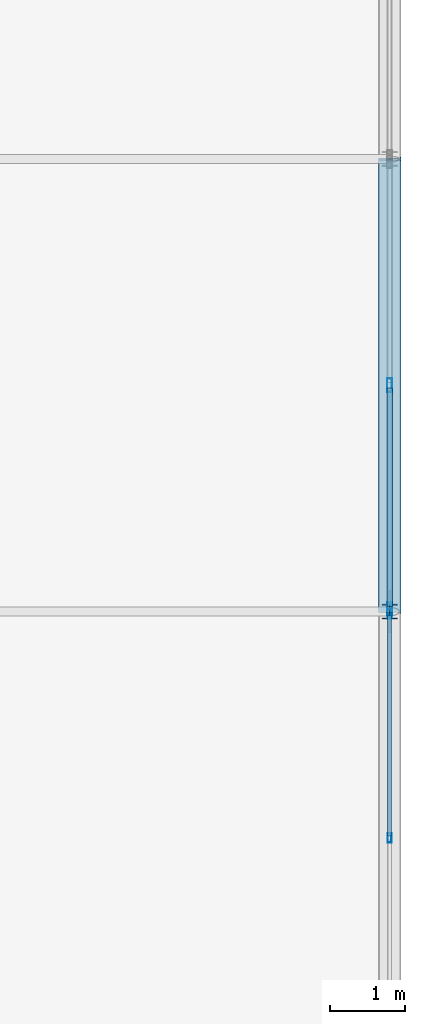
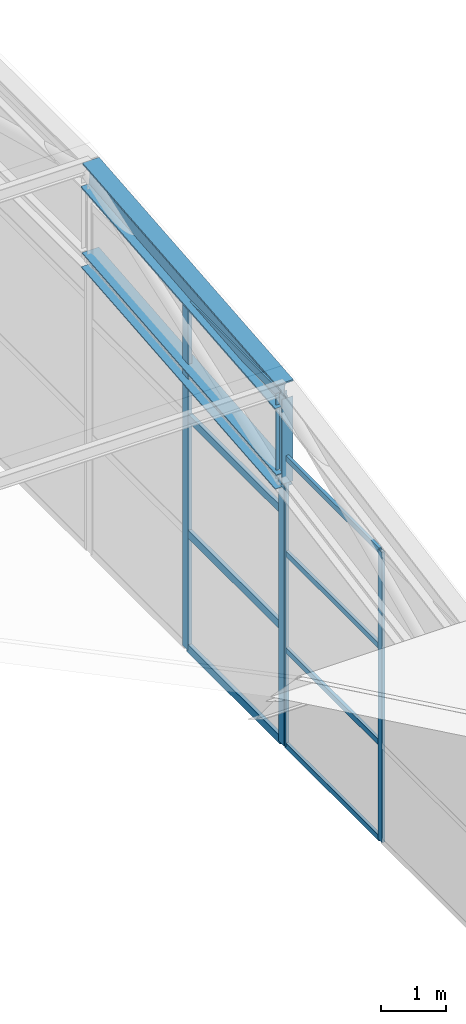
# One storey, part 110 of 204: 15 members, 2 elements without a shape of their own.
"""IFC4 building model written with IfcOpenShell, lengths in metres."""

from ifc_helpers import new_model, si_unit, direction, frame, origin, origin_2d, place, context, subcontext, project, spatial, hollow_rectangle, i_section, extrude, material, layer, layer_set, material_profile, profile_set, type_object, element, aggregate, save


model = new_model("IFC4")

# Units and contexts
model_context = context("Model", 3, precision=1e-05, world=origin(), true_north=direction((0.0, 1.0)))
body_context = subcontext(model_context, "Body", "Model", "MODEL_VIEW")
ifc_project = project(units=[si_unit("LENGTHUNIT", "METRE"), si_unit("AREAUNIT", "SQUARE_METRE"), si_unit("VOLUMEUNIT", "CUBIC_METRE"), si_unit("PLANEANGLEUNIT", "RADIAN"), si_unit("MASSUNIT", "GRAM", prefix="KILO")], contexts=[model_context])

# Site, building, storey
site_placement = place(None, origin())
site = spatial("IfcSite", under=ifc_project, at=site_placement, CompositionType="ELEMENT")
building_placement = place(site_placement, origin())
building = spatial("IfcBuilding", under=site, at=building_placement, Name="Zilviju Railside Exhibition Hall", CompositionType="ELEMENT")
storey_placement = place(building_placement, frame((0.0, 0.0, 21.0)))
storey = spatial("IfcBuildingStorey", under=building, at=storey_placement, Name="RF", CompositionType="ELEMENT", Elevation=21.0)

# Curtain wall, members
ifc_material_1 = material(Name="Thermally broken aluminium-steel triple-glazed curtain wall", Category="steel")
ifc_layer_1 = layer(ifc_material_1, 0.179931640625)
ifc_layer_set_1 = layer_set([ifc_layer_1], Name="Thermally broken aluminium-steel triple-glazed curtain wall")
curtain_wall_type_1 = type_object("IfcCurtainWallType", Name="CW-BAY-20", PredefinedType="USERDEFINED", material=ifc_layer_set_1)
curtain_wall_1_placement = place(storey_placement, origin())
curtain_wall_1 = element("IfcCurtainWall", 1, at=curtain_wall_1_placement, inside=storey, type_object=curtain_wall_type_1, Name="South Hall Arch Tympanum Glazing East P3", ObjectType="GLAZED CURTAIN WALL", PredefinedType="USERDEFINED")
ifc_material_2 = material(Name="Thermally broken anodized aluminium mullion", Category="aluminium")
ifc_material_profile_1 = material_profile(ifc_material_2, hollow_rectangle(XDim=0.054931640625, YDim=0.1298828125, WallThickness=0.0048828125, at=origin_2d()), Name="MULLION 130x55x5")
ifc_profile_set_1 = profile_set([ifc_material_profile_1], Name="Thermally broken anodized aluminium mullion")
member_type_1 = type_object("IfcMemberType", Name="CWM-55x130", PredefinedType="MULLION", material=ifc_profile_set_1)
member_1_placement = place(storey_placement, frame((216.0, 17.972412109375, -7.800048828125), z_axis=(0.0, 0.0, 1.0), x_axis=(1.0, 0.0, 0.0)))
member_1 = element("IfcMember", 2, at=member_1_placement, type_object=member_type_1, Name="CW-20 mullion 1", PredefinedType="MULLION", context=body_context, shape_type="SweptSolid", body=[
    extrude(hollow_rectangle(XDim=0.054931640625, YDim=0.1298828125, WallThickness=0.0048828125, at=origin_2d()), origin(), (0.0, 0.0, 1.0), 5.47216796875),
])
member_2_placement = place(storey_placement, frame((216.0, 15.0, -7.800048828125), z_axis=(0.0, 0.0, 1.0), x_axis=(1.0, 0.0, 0.0)))
member_2 = element("IfcMember", 3, at=member_2_placement, type_object=member_type_1, Name="CW-20 mullion 2", PredefinedType="MULLION", context=body_context, shape_type="SweptSolid", body=[
    extrude(hollow_rectangle(XDim=0.054931640625, YDim=0.1298828125, WallThickness=0.0048828125, at=origin_2d()), origin(), (0.0, 0.0, 1.0), 5.47216796875),
])

ifc_layer_2 = layer(ifc_material_1, 0.179931640625)
ifc_layer_set_2 = layer_set([ifc_layer_2], Name="Thermally broken aluminium-steel triple-glazed curtain wall")
curtain_wall_type_2 = type_object("IfcCurtainWallType", Name="CW-BAY-01", PredefinedType="USERDEFINED", material=ifc_layer_set_2)
curtain_wall_2_placement = place(storey_placement, origin())
curtain_wall_2 = element("IfcCurtainWall", 4, at=curtain_wall_2_placement, inside=storey, type_object=curtain_wall_type_2, Name="South Hall Arch Tympanum Glazing East P4", ObjectType="GLAZED CURTAIN WALL", PredefinedType="USERDEFINED")
ifc_material_profile_2 = material_profile(ifc_material_2, hollow_rectangle(XDim=0.070068359375, YDim=0.179931640625, WallThickness=0.0048828125, at=origin_2d()), Name="MULLION 180x70x5")
ifc_profile_set_2 = profile_set([ifc_material_profile_2], Name="Thermally broken anodized aluminium mullion")
member_type_2 = type_object("IfcMemberType", Name="CWM-70x180", PredefinedType="MULLION", material=ifc_profile_set_2)
member_3_placement = place(storey_placement, frame((216.0, 21.0, -7.800048828125), z_axis=(0.0, 0.0, 1.0), x_axis=(1.0, 0.0, 0.0)))
member_3 = element("IfcMember", 5, at=member_3_placement, type_object=member_type_2, Name="CW-01 mullion 2", PredefinedType="MULLION", context=body_context, shape_type="SweptSolid", body=[
    extrude(hollow_rectangle(XDim=0.070068359375, YDim=0.179931640625, WallThickness=0.0048828125, at=origin_2d()), origin(), (0.0, 0.0, 1.0), 6.578125),
])
member_4_placement = place(storey_placement, frame((216.0, 18.034912109375, -7.800048828125), z_axis=(0.0, 0.0, 1.0), x_axis=(1.0, 0.0, 0.0)))
member_4 = element("IfcMember", 6, at=member_4_placement, type_object=member_type_2, Name="CW-01 mullion 3", PredefinedType="MULLION", context=body_context, shape_type="SweptSolid", body=[
    extrude(hollow_rectangle(XDim=0.070068359375, YDim=0.179931640625, WallThickness=0.0048828125, at=origin_2d()), origin(), (0.0, 0.0, 1.0), 6.578125),
])

# Member
ifc_material_3 = material(Name="Thermally broken anodized aluminium transom", Category="aluminium")
ifc_material_profile_3 = material_profile(ifc_material_3, hollow_rectangle(XDim=0.054931640625, YDim=0.10498046875, WallThickness=0.0048828125, at=origin_2d()), Name="TRANSOM 105x55x5")
ifc_profile_set_3 = profile_set([ifc_material_profile_3], Name="Thermally broken anodized aluminium transom")
member_type_3 = type_object("IfcMemberType", Name="CWT-55x105", PredefinedType="USERDEFINED", material=ifc_profile_set_3)
member_5_placement = place(storey_placement, frame((216.0, 17.945068359375, -7.7724609375), z_axis=(0.0, -1.0, 0.0), x_axis=(1.0, 0.0, 0.0)))
member_5 = element("IfcMember", 7, at=member_5_placement, type_object=member_type_3, Name="CW-20 transom 1.1", ObjectType="TRANSOM", PredefinedType="USERDEFINED", context=body_context, shape_type="SweptSolid", body=[
    extrude(hollow_rectangle(XDim=0.054931640625, YDim=0.10498046875, WallThickness=0.0048828125, at=origin_2d()), origin(), (0.0, 0.0, 1.0), 2.91748046875),
])

member_6_placement = place(storey_placement, frame((216.0, 17.945068359375, -5.97607421875), z_axis=(0.0, -1.0, 0.0), x_axis=(1.0, 0.0, 0.0)))
member_6 = element("IfcMember", 8, at=member_6_placement, type_object=member_type_3, Name="CW-20 transom 1.2", ObjectType="TRANSOM", PredefinedType="USERDEFINED", context=body_context, shape_type="SweptSolid", body=[
    extrude(hollow_rectangle(XDim=0.054931640625, YDim=0.10498046875, WallThickness=0.0048828125, at=origin_2d()), origin(), (0.0, 0.0, 1.0), 2.91748046875),
])

member_7_placement = place(storey_placement, frame((216.0, 17.945068359375, -4.152099609375), z_axis=(0.0, -1.0, 0.0), x_axis=(1.0, 0.0, 0.0)))
member_7 = element("IfcMember", 9, at=member_7_placement, type_object=member_type_3, Name="CW-20 transom 1.3", ObjectType="TRANSOM", PredefinedType="USERDEFINED", context=body_context, shape_type="SweptSolid", body=[
    extrude(hollow_rectangle(XDim=0.054931640625, YDim=0.10498046875, WallThickness=0.0048828125, at=origin_2d()), origin(), (0.0, 0.0, 1.0), 2.91748046875),
])

member_8_placement = place(storey_placement, frame((216.0, 17.945068359375, -2.35546875), z_axis=(0.0, -1.0, 0.0), x_axis=(1.0, 0.0, 0.0)))
member_8 = element("IfcMember", 10, at=member_8_placement, type_object=member_type_3, Name="CW-20 transom 1.4", ObjectType="TRANSOM", PredefinedType="USERDEFINED", context=body_context, shape_type="SweptSolid", body=[
    extrude(hollow_rectangle(XDim=0.054931640625, YDim=0.10498046875, WallThickness=0.0048828125, at=origin_2d()), origin(), (0.0, 0.0, 1.0), 2.91748046875),
])

aggregate(curtain_wall_1, [member_1, member_2, member_5, member_6, member_7, member_8])

ifc_material_profile_4 = material_profile(ifc_material_3, hollow_rectangle(XDim=0.070068359375, YDim=0.14990234375, WallThickness=0.0048828125, at=origin_2d()), Name="TRANSOM 150x70x5")
ifc_profile_set_4 = profile_set([ifc_material_profile_4], Name="Thermally broken anodized aluminium transom")
member_type_4 = type_object("IfcMemberType", Name="CWT-70x150", PredefinedType="USERDEFINED", material=ifc_profile_set_4)
member_9_placement = place(storey_placement, frame((216.0, 20.965087890625, -7.764892578125), z_axis=(0.0, -1.0, 0.0), x_axis=(1.0, 0.0, 0.0)))
member_9 = element("IfcMember", 11, at=member_9_placement, type_object=member_type_4, Name="CW-01 transom 2.1", ObjectType="TRANSOM", PredefinedType="USERDEFINED", context=body_context, shape_type="SweptSolid", body=[
    extrude(hollow_rectangle(XDim=0.070068359375, YDim=0.14990234375, WallThickness=0.0048828125, at=origin_2d()), origin(), (0.0, 0.0, 1.0), 2.89501953125),
])

member_10_placement = place(storey_placement, frame((216.0, 20.965087890625, -5.60693359375), z_axis=(0.0, -1.0, 0.0), x_axis=(1.0, 0.0, 0.0)))
member_10 = element("IfcMember", 12, at=member_10_placement, type_object=member_type_4, Name="CW-01 transom 2.2", ObjectType="TRANSOM", PredefinedType="USERDEFINED", context=body_context, shape_type="SweptSolid", body=[
    extrude(hollow_rectangle(XDim=0.070068359375, YDim=0.14990234375, WallThickness=0.0048828125, at=origin_2d()), origin(), (0.0, 0.0, 1.0), 2.89501953125),
])

member_11_placement = place(storey_placement, frame((216.0, 20.965087890625, -3.4150390625), z_axis=(0.0, -1.0, 0.0), x_axis=(1.0, 0.0, 0.0)))
member_11 = element("IfcMember", 13, at=member_11_placement, type_object=member_type_4, Name="CW-01 transom 2.3", ObjectType="TRANSOM", PredefinedType="USERDEFINED", context=body_context, shape_type="SweptSolid", body=[
    extrude(hollow_rectangle(XDim=0.070068359375, YDim=0.14990234375, WallThickness=0.0048828125, at=origin_2d()), origin(), (0.0, 0.0, 1.0), 2.89501953125),
])

member_12_placement = place(storey_placement, frame((216.0, 20.965087890625, -1.257080078125), z_axis=(0.0, -1.0, 0.0), x_axis=(1.0, 0.0, 0.0)))
member_12 = element("IfcMember", 14, at=member_12_placement, type_object=member_type_4, Name="CW-01 transom 2.4", ObjectType="TRANSOM", PredefinedType="USERDEFINED", context=body_context, shape_type="SweptSolid", body=[
    extrude(hollow_rectangle(XDim=0.070068359375, YDim=0.14990234375, WallThickness=0.0048828125, at=origin_2d()), origin(), (0.0, 0.0, 1.0), 2.89501953125),
])

aggregate(curtain_wall_2, [member_3, member_4, member_9, member_10, member_11, member_12])

# Members
ifc_material_4 = material(Name="Steel S355ML", Category="steel")
ifc_material_profile_5 = material_profile(ifc_material_4, i_section(OverallWidth=0.300048828125, OverallDepth=0.300048828125, WebThickness=0.010986328125, FlangeThickness=0.01904296875, at=origin_2d()), Name="HEB 300")
ifc_profile_set_5 = profile_set([ifc_material_profile_5], Name="Steel S355ML")
member_type_5 = type_object("IfcMemberType", Name="TR-CH-HEB300", PredefinedType="CHORD", material=ifc_profile_set_5)
member_13_placement = place(storey_placement, frame((216.0, 18.0, -2.822265625), z_axis=(0.0, 0.995776144786, 0.091814320641), x_axis=(-1.0, 0.0, 0.0)))
element("IfcMember", 15, at=member_13_placement, inside=storey, type_object=member_type_5, Name="V1 Parabolic Arch Bottom Chord X=216.0 P4", PredefinedType="CHORD", context=body_context, shape_type="SweptSolid", body=[
    extrude(i_section(OverallWidth=0.300048828125, OverallDepth=0.300048828125, WebThickness=0.010986328125, FlangeThickness=0.01904296875, at=origin_2d()), origin(), (0.0, 0.0, 1.0), 6.025390625),
])
ifc_material_profile_6 = material_profile(ifc_material_4, i_section(OverallWidth=0.300048828125, OverallDepth=0.5, WebThickness=0.014404296875, FlangeThickness=0.028076171875, at=origin_2d()), Name="HEB 500")
ifc_profile_set_6 = profile_set([ifc_material_profile_6], Name="Steel S355ML")
member_type_6 = type_object("IfcMemberType", Name="TR-CH-HEB500-ML", PredefinedType="CHORD", material=ifc_profile_set_6)
member_14_placement = place(storey_placement, frame((216.0, 18.0, -1.22216796875), z_axis=(0.0, 0.99577984843, 0.091774143746), x_axis=(-1.0, 0.0, 0.0)))
element("IfcMember", 16, at=member_14_placement, inside=storey, type_object=member_type_6, Name="V1 Parabolic Arch Top Chord X=216.0 P4", PredefinedType="CHORD", context=body_context, shape_type="SweptSolid", body=[
    extrude(i_section(OverallWidth=0.300048828125, OverallDepth=0.5, WebThickness=0.014404296875, FlangeThickness=0.028076171875, at=origin_2d()), origin(), (0.0, 0.0, 1.0), 6.025390625),
])
ifc_material_profile_7 = material_profile(ifc_material_4, i_section(OverallWidth=0.199951171875, OverallDepth=0.18994140625, WebThickness=0.006591796875, FlangeThickness=0.010009765625, at=origin_2d()), Name="HEA 200")
ifc_profile_set_7 = profile_set([ifc_material_profile_7], Name="Steel S355ML")
member_type_7 = type_object("IfcMemberType", Name="TR-POST-HEA200", PredefinedType="POST", material=ifc_profile_set_7)
member_15_placement = place(storey_placement, frame((216.0, 18.0, -2.822265625), z_axis=(0.0, 0.0, 1.0), x_axis=(1.0, 0.0, 0.0)))
element("IfcMember", 17, at=member_15_placement, inside=storey, type_object=member_type_7, Name="V1 Parabolic Arch Web Post X=216.0 N3", PredefinedType="POST", context=body_context, shape_type="SweptSolid", body=[
    extrude(i_section(OverallWidth=0.199951171875, OverallDepth=0.18994140625, WebThickness=0.006591796875, FlangeThickness=0.010009765625, at=origin_2d()), origin(), (0.0, 0.0, 1.0), 1.60009765625),
])

save(model, "model.ifc")
